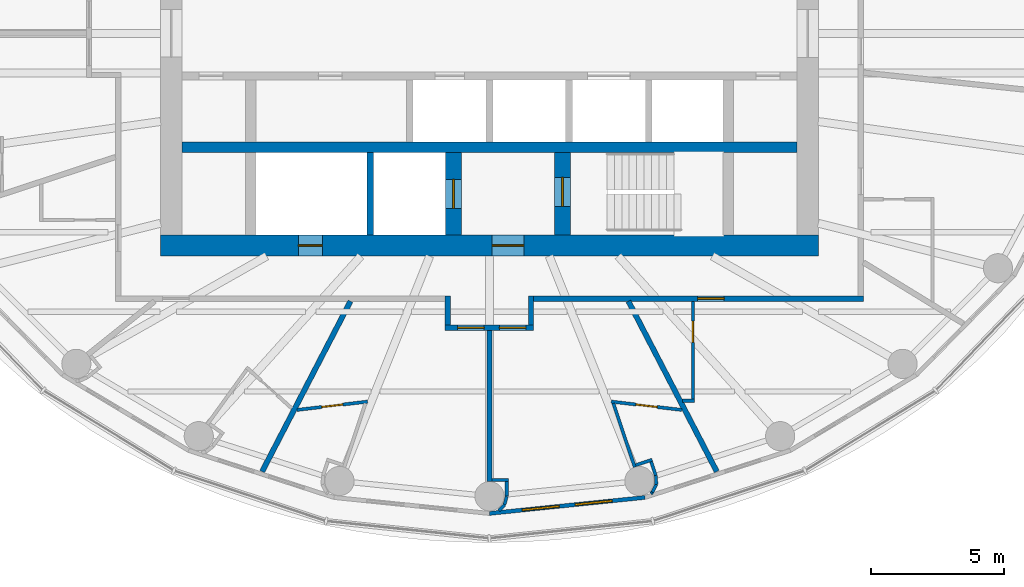
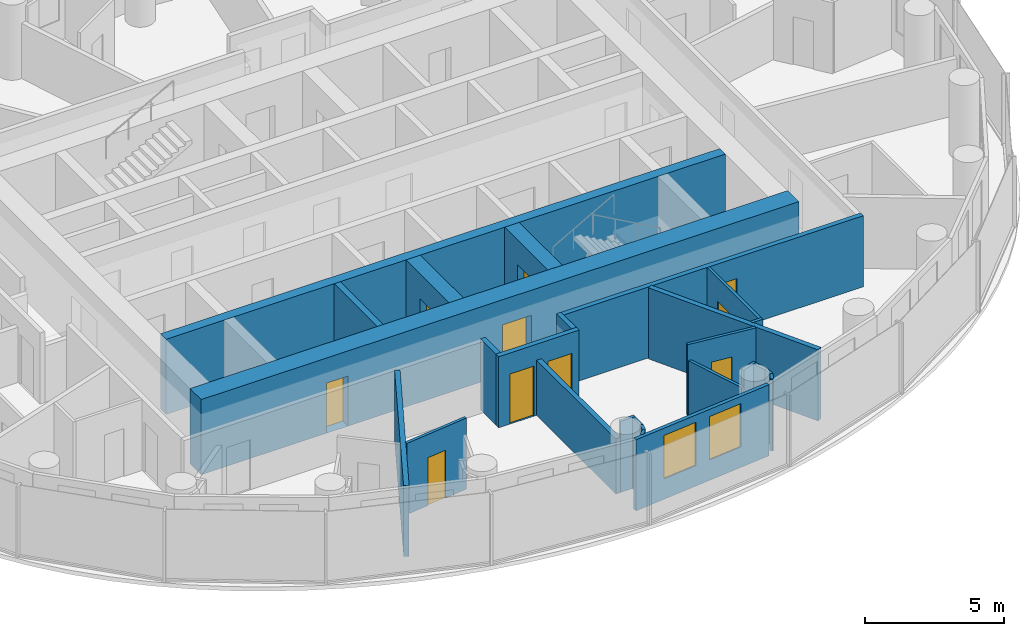
# One storey, part 7 of 13: 27 walls, 10 doors, 2 windows, 12 openings.
"""IFC4 building model written with IfcOpenShell, lengths in metres."""

from ifc_helpers import new_model, si_unit, direction, frame, frame_2d, origin, place, context, subcontext, project, spatial, rectangle, extrude, material, layer, layer_set, type_object, element, fill, save


model = new_model("IFC4")

# Units and contexts
model_context = context("Model", 3, precision=1e-05, world=origin(), true_north=direction((0.0, 1.0)))
body_context = subcontext(model_context, "Body", "Model", "MODEL_VIEW")
ifc_project = project(units=[si_unit("LENGTHUNIT", "METRE"), si_unit("AREAUNIT", "SQUARE_METRE"), si_unit("VOLUMEUNIT", "CUBIC_METRE"), si_unit("PLANEANGLEUNIT", "RADIAN"), si_unit("MASSUNIT", "GRAM", prefix="KILO")], contexts=[model_context])

# Site, building, storey
site_placement = place(None, origin())
site = spatial("IfcSite", under=ifc_project, at=site_placement, CompositionType="ELEMENT")
building_placement = place(site_placement, origin())
building = spatial("IfcBuilding", under=site, at=building_placement, Name="Hankou Lantern Tower", CompositionType="ELEMENT")
storey_placement = place(building_placement, frame((0.0, 0.0, 159.89990234375)))
storey = spatial("IfcBuildingStorey", under=building, at=storey_placement, Name="L42", CompositionType="ELEMENT", Elevation=159.89990234375)

# Wall, openings, doors
ifc_material_1 = material(Name="Concrete C60", Category="concrete")
ifc_layer_1 = layer(ifc_material_1, 0.800048828125)
ifc_layer_set_1 = layer_set([ifc_layer_1], Name="Concrete C60")
wall_type_1 = type_object("IfcWallType", Name="CW2 CORE WALL 800", PredefinedType="SHEAR", material=ifc_layer_set_1)
wall_1_placement = place(storey_placement, frame((12.39990234375, -8.0, 0.0), z_axis=(0.0, 0.0, 1.0), x_axis=(-1.0, 0.0, 0.0)))
wall_1 = element("IfcWall", 1, at=wall_1_placement, inside=storey, type_object=wall_type_1, Name="Core wall south L42", PredefinedType="SHEAR", context=body_context, shape_type="SweptSolid", body=[
    extrude(rectangle(XDim=24.7998046875, YDim=0.800048828125, at=frame_2d((12.39990234375, 0.0))), origin(), (0.0, 0.0, 1.0), 3.300048828125),
])
opening_1_placement = place(wall_1_placement, frame((11.10009765625, 0.0, 0.0)))
opening_1 = element("IfcOpeningElement", 2, at=opening_1_placement, cuts=wall_1, Name="Opening D5", PredefinedType="OPENING", context=body_context, shape_type="SweptSolid", body=[
    extrude(rectangle(XDim=1.199951171875, YDim=2.199951171875, at=frame_2d((0.60009765625, 1.10009765625))), frame((0.0, 0.409912109375, 0.0), z_axis=(0.0, -1.0, 0.0), x_axis=(1.0, 0.0, 0.0)), (0.0, 0.0, 1.0), 0.820068359375),
])
opening_2_placement = place(wall_1_placement, frame((18.699951171875, 0.0, 0.0)))
opening_2 = element("IfcOpeningElement", 3, at=opening_2_placement, cuts=wall_1, Name="Opening D7", PredefinedType="OPENING", context=body_context, shape_type="SweptSolid", body=[
    extrude(rectangle(XDim=0.89990234375, YDim=2.199951171875, at=frame_2d((0.449951171875, 1.10009765625))), frame((0.0, 0.409912109375, 0.0), z_axis=(0.0, -1.0, 0.0), x_axis=(1.0, 0.0, 0.0)), (0.0, 0.0, 1.0), 0.820068359375),
])
ifc_material_2 = material(Name="Steel door leaf", Category="steel")
door_type_1 = type_object("IfcDoorType", Name="D5 STAIR LOBBY DOOR 1200X2200", OperationType="SINGLE_SWING_LEFT", PredefinedType="DOOR", material=ifc_material_2)
door_1_placement = place(opening_1_placement, origin())
door_1 = element("IfcDoor", 4, at=door_1_placement, inside=storey, type_object=door_type_1, Name="Stair B lobby door", OperationType="SINGLE_SWING_LEFT", OverallHeight=2.199951171875, OverallWidth=1.199951171875, PredefinedType="DOOR", context=body_context, shape_type="SweptSolid", body=[
    extrude(rectangle(XDim=1.199951171875, YDim=2.199951171875, at=frame_2d((0.60009765625, 1.10009765625))), frame((0.0, 0.02490234375, 0.0), z_axis=(0.0, -1.0, 0.0), x_axis=(1.0, 0.0, 0.0)), (0.0, 0.0, 1.0), 0.050048828125),
])
fill(opening_1, door_1)
ifc_material_3 = material(Name="Steel door leaf", Category="steel")
door_type_2 = type_object("IfcDoorType", Name="D7 RISER DOOR 900X2200", OperationType="SINGLE_SWING_LEFT", PredefinedType="DOOR", material=ifc_material_3)
door_2_placement = place(opening_2_placement, origin())
door_2 = element("IfcDoor", 5, at=door_2_placement, inside=storey, type_object=door_type_2, Name="Riser S1 door", OperationType="SINGLE_SWING_RIGHT", OverallHeight=2.199951171875, OverallWidth=0.89990234375, PredefinedType="DOOR", context=body_context, shape_type="SweptSolid", body=[
    extrude(rectangle(XDim=0.89990234375, YDim=2.199951171875, at=frame_2d((0.449951171875, 1.10009765625))), frame((0.0, 0.02490234375, 0.0), z_axis=(0.0, -1.0, 0.0), x_axis=(1.0, 0.0, 0.0)), (0.0, 0.0, 1.0), 0.050048828125),
])
fill(opening_2, door_2)

# Wall
ifc_material_4 = material(Name="Concrete C60", Category="concrete")
ifc_layer_2 = layer(ifc_material_4, 0.39990234375)
ifc_layer_set_2 = layer_set([ifc_layer_2], Name="Concrete C60")
wall_type_2 = type_object("IfcWallType", Name="CW4 CORE CROSS WALL 400", PredefinedType="SHEAR", material=ifc_layer_set_2)
wall_2_placement = place(storey_placement, frame((-11.60009765625, -4.300048828125, 0.0), z_axis=(0.0, 0.0, 1.0), x_axis=(1.0, 0.0, 0.0)))
element("IfcWall", 6, at=wall_2_placement, inside=storey, type_object=wall_type_2, Name="Core band wall south L42", PredefinedType="SHEAR", context=body_context, shape_type="SweptSolid", body=[
    extrude(rectangle(XDim=23.2001953125, YDim=0.39990234375, at=frame_2d((11.60009765625, 0.0))), origin(), (0.0, 0.0, 1.0), 3.300048828125),
])

# Wall, opening, door
ifc_material_5 = material(Name="Concrete C60", Category="concrete")
ifc_layer_3 = layer(ifc_material_5, 0.60009765625)
ifc_layer_set_3 = layer_set([ifc_layer_3], Name="Concrete C60")
wall_type_3 = type_object("IfcWallType", Name="CW6 STAIR AND SHAFT WALL 600", PredefinedType="SHEAR", material=ifc_layer_set_3)
wall_3_placement = place(storey_placement, frame((2.75, -7.60009765625, 0.0), z_axis=(0.0, 0.0, 1.0), x_axis=(0.0, 1.0, 0.0)))
wall_3 = element("IfcWall", 7, at=wall_3_placement, inside=storey, type_object=wall_type_3, Name="Stair wall L42", PredefinedType="SHEAR", context=body_context, shape_type="SweptSolid", body=[
    extrude(rectangle(XDim=3.10009765625, YDim=0.60009765625, at=frame_2d((1.550048828125, 0.0))), origin(), (0.0, 0.0, 1.0), 3.300048828125),
])
opening_3_placement = place(wall_3_placement, frame((1.074951171875, 0.0, 0.0)))
opening_3 = element("IfcOpeningElement", 8, at=opening_3_placement, cuts=wall_3, Name="Opening D4", PredefinedType="OPENING", context=body_context, shape_type="SweptSolid", body=[
    extrude(rectangle(XDim=1.10009765625, YDim=2.199951171875, at=frame_2d((0.550048828125, 1.10009765625))), frame((0.0, 0.31005859375, 0.0), z_axis=(0.0, -1.0, 0.0), x_axis=(1.0, 0.0, 0.0)), (0.0, 0.0, 1.0), 0.6201171875),
])
ifc_material_6 = material(Name="Steel door leaf", Category="steel")
door_type_3 = type_object("IfcDoorType", Name="D4 STAIR DOOR 1100X2200", OperationType="SINGLE_SWING_LEFT", PredefinedType="DOOR", material=ifc_material_6)
door_3_placement = place(opening_3_placement, origin())
door_3 = element("IfcDoor", 9, at=door_3_placement, inside=storey, type_object=door_type_3, Name="Stair B door", OperationType="SINGLE_SWING_RIGHT", OverallHeight=2.199951171875, OverallWidth=1.10009765625, PredefinedType="DOOR", context=body_context, shape_type="SweptSolid", body=[
    extrude(rectangle(XDim=1.10009765625, YDim=2.199951171875, at=frame_2d((0.550048828125, 1.10009765625))), frame((0.0, 0.02490234375, 0.0), z_axis=(0.0, -1.0, 0.0), x_axis=(1.0, 0.0, 0.0)), (0.0, 0.0, 1.0), 0.050048828125),
])
fill(opening_3, door_3)

wall_4_placement = place(storey_placement, frame((-1.35009765625, -7.60009765625, 0.0), z_axis=(0.0, 0.0, 1.0), x_axis=(0.0, 1.0, 0.0)))
wall_4 = element("IfcWall", 10, at=wall_4_placement, inside=storey, type_object=wall_type_3, Name="Firefighting lift shaft wall L42", PredefinedType="SHEAR", context=body_context, shape_type="SweptSolid", body=[
    extrude(rectangle(XDim=3.10009765625, YDim=0.60009765625, at=frame_2d((1.550048828125, 0.0))), origin(), (0.0, 0.0, 1.0), 3.300048828125),
])
opening_4_placement = place(wall_4_placement, frame((1.0, 0.0, 0.0)))
opening_4 = element("IfcOpeningElement", 11, at=opening_4_placement, cuts=wall_4, Name="Opening LD2", PredefinedType="OPENING", context=body_context, shape_type="SweptSolid", body=[
    extrude(rectangle(XDim=1.10009765625, YDim=2.199951171875, at=frame_2d((0.550048828125, 1.10009765625))), frame((0.0, 0.31005859375, 0.0), z_axis=(0.0, -1.0, 0.0), x_axis=(1.0, 0.0, 0.0)), (0.0, 0.0, 1.0), 0.6201171875),
])
ifc_material_7 = material(Name="Steel door leaf", Category="steel")
door_type_4 = type_object("IfcDoorType", Name="LD2 FIREFIGHTING LIFT LANDING DOOR 1100X2200", OperationType="DOUBLE_DOOR_SLIDING", PredefinedType="DOOR", material=ifc_material_7)
door_4_placement = place(opening_4_placement, origin())
door_4 = element("IfcDoor", 12, at=door_4_placement, inside=storey, type_object=door_type_4, Name="Firefighting lift FL2 landing door", OperationType="DOUBLE_DOOR_SLIDING", OverallHeight=2.199951171875, OverallWidth=1.10009765625, PredefinedType="DOOR", context=body_context, shape_type="SweptSolid", body=[
    extrude(rectangle(XDim=1.10009765625, YDim=2.199951171875, at=frame_2d((0.550048828125, 1.10009765625))), frame((0.0, 0.02490234375, 0.0), z_axis=(0.0, -1.0, 0.0), x_axis=(1.0, 0.0, 0.0)), (0.0, 0.0, 1.0), 0.050048828125),
])
fill(opening_4, door_4)

# Wall, openings, windows
ifc_material_8 = material(Name="Aluminium spandrel panel on steel studs", Category="steel")
ifc_layer_4 = layer(ifc_material_8, 0.14990234375)
ifc_layer_set_4 = layer_set([ifc_layer_4], Name="Aluminium spandrel panel on steel studs")
wall_type_4 = type_object("IfcWallType", Name="EW1 INNER SKIN WALL 150", PredefinedType="ELEMENTEDWALL", material=ifc_layer_set_4)
wall_5_placement = place(storey_placement, frame((0.0, -18.10009765625, 0.0), z_axis=(0.0, 0.0, 1.0), x_axis=(0.994751738032, 0.102318032045, 0.0)))
wall_5 = element("IfcWall", 13, at=wall_5_placement, inside=storey, type_object=wall_type_4, Name="Inner skin R19-R20 L42", PredefinedType="ELEMENTEDWALL", context=body_context, shape_type="SweptSolid", body=[
    extrude(rectangle(XDim=5.891357421875, YDim=0.14990234375, at=frame_2d((2.94580078125, 0.0))), origin(), (0.0, 0.0, 1.0), 3.1201171875),
])
opening_5_placement = place(wall_5_placement, frame((1.24560546875, 0.0, 0.89990234375)))
opening_5 = element("IfcOpeningElement", 14, at=opening_5_placement, cuts=wall_5, Name="Opening W3", PredefinedType="OPENING", context=body_context, shape_type="SweptSolid", body=[
    extrude(rectangle(XDim=1.39990234375, YDim=1.89990234375, at=frame_2d((0.699951171875, 0.949951171875))), frame((0.0, 0.0849609375, 0.0), z_axis=(0.0, -1.0, 0.0), x_axis=(1.0, 0.0, 0.0)), (0.0, 0.0, 1.0), 0.169921875),
])
opening_6_placement = place(wall_5_placement, frame((3.24560546875, 0.0, 0.89990234375)))
opening_6 = element("IfcOpeningElement", 15, at=opening_6_placement, cuts=wall_5, Name="Opening W3", PredefinedType="OPENING", context=body_context, shape_type="SweptSolid", body=[
    extrude(rectangle(XDim=1.39990234375, YDim=1.89990234375, at=frame_2d((0.699951171875, 0.949951171875))), frame((0.0, 0.0849609375, 0.0), z_axis=(0.0, -1.0, 0.0), x_axis=(1.0, 0.0, 0.0)), (0.0, 0.0, 1.0), 0.169921875),
])
ifc_material_9 = material(Name="Aluminium framed double glazed window", Category="aluminium")
window_type = type_object("IfcWindowType", Name="W3 GUEST ROOM WINDOW 1400X1900", PartitioningType="DOUBLE_PANEL_VERTICAL", PredefinedType="WINDOW", material=ifc_material_9)
window_1_placement = place(opening_5_placement, origin())
window_1 = element("IfcWindow", 16, at=window_1_placement, inside=storey, type_object=window_type, Name="Window R19.1 L42", OverallHeight=1.89990234375, OverallWidth=1.39990234375, PartitioningType="SINGLE_PANEL", PredefinedType="WINDOW", context=body_context, shape_type="SweptSolid", body=[
    extrude(rectangle(XDim=1.39990234375, YDim=1.89990234375, at=frame_2d((0.699951171875, 0.949951171875))), frame((0.0, 0.030029296875, 0.0), z_axis=(0.0, -1.0, 0.0), x_axis=(1.0, 0.0, 0.0)), (0.0, 0.0, 1.0), 0.06005859375),
])
fill(opening_5, window_1)
window_2_placement = place(opening_6_placement, origin())
window_2 = element("IfcWindow", 17, at=window_2_placement, inside=storey, type_object=window_type, Name="Window R19.2 L42", OverallHeight=1.89990234375, OverallWidth=1.39990234375, PartitioningType="SINGLE_PANEL", PredefinedType="WINDOW", context=body_context, shape_type="SweptSolid", body=[
    extrude(rectangle(XDim=1.39990234375, YDim=1.89990234375, at=frame_2d((0.699951171875, 0.949951171875))), frame((0.0, 0.030029296875, 0.0), z_axis=(0.0, -1.0, 0.0), x_axis=(1.0, 0.0, 0.0)), (0.0, 0.0, 1.0), 0.06005859375),
])
fill(opening_6, window_2)

# Walls
ifc_material_10 = material(Name="Masonry lightweight concrete block", Category="masonry")
ifc_layer_5 = layer(ifc_material_10, 0.199951171875)
ifc_layer_set_5 = layer_set([ifc_layer_5], Name="Masonry lightweight concrete block")
wall_type_5 = type_object("IfcWallType", Name="IW1 GUEST ROOM PARTY WALL 200", PredefinedType="PARTITIONING", material=ifc_layer_set_5)
wall_6_placement = place(storey_placement, frame((-5.239990234375, -10.10009765625, 0.0), z_axis=(0.0, 0.0, 1.0), x_axis=(-0.460532965373, -0.887642601391, 0.0)))
element("IfcWall", 18, at=wall_6_placement, inside=storey, type_object=wall_type_5, Name="Party wall R17-R18", PredefinedType="PARTITIONING", context=body_context, shape_type="SweptSolid", body=[
    extrude(rectangle(XDim=7.2314453125, YDim=0.199951171875, at=frame_2d((3.61572265625, 0.0))), origin(), (0.0, 0.0, 1.0), 3.1201171875),
])
wall_7_placement = place(storey_placement, frame((0.0, -11.199951171875, 0.0), z_axis=(0.0, 0.0, 1.0), x_axis=(0.0, -1.0, 0.0)))
element("IfcWall", 19, at=wall_7_placement, inside=storey, type_object=wall_type_5, Name="Party wall R19", PredefinedType="PARTITIONING", context=body_context, shape_type="SweptSolid", body=[
    extrude(rectangle(XDim=5.699951171875, YDim=0.199951171875, at=frame_2d((2.85009765625, 0.0))), origin(), (0.0, 0.0, 1.0), 2.420166015625),
])
wall_8_placement = place(storey_placement, frame((5.239990234375, -10.10009765625, 0.0), z_axis=(0.0, 0.0, 1.0), x_axis=(0.460532965373, -0.887642601391, 0.0)))
element("IfcWall", 20, at=wall_8_placement, inside=storey, type_object=wall_type_5, Name="Party wall R20-R21", PredefinedType="PARTITIONING", context=body_context, shape_type="SweptSolid", body=[
    extrude(rectangle(XDim=7.2314453125, YDim=0.199951171875, at=frame_2d((3.61572265625, 0.0))), origin(), (0.0, 0.0, 1.0), 3.1201171875),
])

# Wall, openings, doors
ifc_material_11 = material(Name="Masonry lightweight concrete block", Category="masonry")
ifc_layer_6 = layer(ifc_material_11, 0.199951171875)
ifc_layer_set_6 = layer_set([ifc_layer_6], Name="Masonry lightweight concrete block")
wall_type_6 = type_object("IfcWallType", Name="IW2 CORRIDOR WALL 200", PredefinedType="PARTITIONING", material=ifc_layer_set_6)
wall_9_placement = place(storey_placement, frame((1.669921875, -11.10009765625, 0.0), z_axis=(0.0, 0.0, 1.0), x_axis=(-1.0, 0.0, 0.0)))
wall_9 = element("IfcWall", 21, at=wall_9_placement, inside=storey, type_object=wall_type_6, Name="Corridor alcove wall 4207-4208 back", PredefinedType="PARTITIONING", context=body_context, shape_type="SweptSolid", body=[
    extrude(rectangle(XDim=3.33984375, YDim=0.199951171875, at=frame_2d((1.669921875, 0.0))), origin(), (0.0, 0.0, 1.0), 3.1201171875),
])
opening_7_placement = place(wall_9_placement, frame((1.8701171875, 0.0, 0.0)))
opening_7 = element("IfcOpeningElement", 22, at=opening_7_placement, cuts=wall_9, Name="Opening D1", PredefinedType="OPENING", context=body_context, shape_type="SweptSolid", body=[
    extrude(rectangle(XDim=1.0, YDim=2.199951171875, at=frame_2d((0.5, 1.10009765625))), frame((0.0, 0.10986328125, 0.0), z_axis=(0.0, -1.0, 0.0), x_axis=(1.0, 0.0, 0.0)), (0.0, 0.0, 1.0), 0.219970703125),
])
opening_8_placement = place(wall_9_placement, frame((0.300048828125, 0.0, 0.0)))
opening_8 = element("IfcOpeningElement", 23, at=opening_8_placement, cuts=wall_9, Name="Opening D1", PredefinedType="OPENING", context=body_context, shape_type="SweptSolid", body=[
    extrude(rectangle(XDim=1.0, YDim=2.199951171875, at=frame_2d((0.5, 1.10009765625))), frame((0.0, 0.10986328125, 0.0), z_axis=(0.0, -1.0, 0.0), x_axis=(1.0, 0.0, 0.0)), (0.0, 0.0, 1.0), 0.219970703125),
])
ifc_material_12 = material(Name="Steel door leaf", Category="steel")
door_type_5 = type_object("IfcDoorType", Name="D1 GUEST ROOM DOOR 1000X2200", OperationType="SINGLE_SWING_LEFT", PredefinedType="DOOR", material=ifc_material_12)
door_5_placement = place(opening_7_placement, origin())
door_5 = element("IfcDoor", 24, at=door_5_placement, inside=storey, type_object=door_type_5, Name="Guest room door 4207", OperationType="SINGLE_SWING_LEFT", OverallHeight=2.199951171875, OverallWidth=1.0, PredefinedType="DOOR", context=body_context, shape_type="SweptSolid", body=[
    extrude(rectangle(XDim=1.0, YDim=2.199951171875, at=frame_2d((0.5, 1.10009765625))), frame((0.0, 0.02490234375, 0.0), z_axis=(0.0, -1.0, 0.0), x_axis=(1.0, 0.0, 0.0)), (0.0, 0.0, 1.0), 0.050048828125),
])
fill(opening_7, door_5)
door_6_placement = place(opening_8_placement, origin())
door_6 = element("IfcDoor", 25, at=door_6_placement, inside=storey, type_object=door_type_5, Name="Guest room door 4208", OperationType="SINGLE_SWING_RIGHT", OverallHeight=2.199951171875, OverallWidth=1.0, PredefinedType="DOOR", context=body_context, shape_type="SweptSolid", body=[
    extrude(rectangle(XDim=1.0, YDim=2.199951171875, at=frame_2d((0.5, 1.10009765625))), frame((0.0, 0.02490234375, 0.0), z_axis=(0.0, -1.0, 0.0), x_axis=(1.0, 0.0, 0.0)), (0.0, 0.0, 1.0), 0.050048828125),
])
fill(opening_8, door_6)

# Walls
for number, where, z_axis, x_axis, name in (
    (26, (1.570068359375, -9.89990234375, 0.0), (0.0, 0.0, 1.0), (0.0, -1.0, 0.0), "Corridor alcove wall 4207-4208 left"),
    (27, (-1.570068359375, -9.89990234375, 0.0), (0.0, 0.0, 1.0), (0.0, -1.0, 0.0), "Corridor alcove wall 4207-4208 right"),
):
    element("IfcWall", number, at=place(storey_placement, frame(where, z_axis=z_axis, x_axis=x_axis)), inside=storey, type_object=wall_type_6, Name=name, PredefinedType="PARTITIONING", context=body_context, shape_type="SweptSolid", body=[
        extrude(rectangle(XDim=1.10009765625, YDim=0.199951171875, at=frame_2d((0.550048828125, 0.0))), origin(), (0.0, 0.0, 1.0), 3.1201171875),
    ])

# Wall, opening, door
wall_10_placement = place(storey_placement, frame((14.10009765625, -10.0, 0.0), z_axis=(0.0, 0.0, 1.0), x_axis=(-1.0, 0.0, 0.0)))
wall_10 = element("IfcWall", 28, at=wall_10_placement, inside=storey, type_object=wall_type_6, Name="Corridor wall south", PredefinedType="PARTITIONING", context=body_context, shape_type="SweptSolid", body=[
    extrude(rectangle(XDim=12.43017578125, YDim=0.199951171875, at=frame_2d((6.215087890625, 0.0))), origin(), (0.0, 0.0, 1.0), 3.1201171875),
])
opening_9_placement = place(wall_10_placement, frame((5.25, 0.0, 0.0)))
opening_9 = element("IfcOpeningElement", 29, at=opening_9_placement, cuts=wall_10, Name="Opening D2", PredefinedType="OPENING", context=body_context, shape_type="SweptSolid", body=[
    extrude(rectangle(XDim=1.0, YDim=2.199951171875, at=frame_2d((0.5, 1.10009765625))), frame((0.0, 0.10986328125, 0.0), z_axis=(0.0, -1.0, 0.0), x_axis=(1.0, 0.0, 0.0)), (0.0, 0.0, 1.0), 0.219970703125),
])
ifc_material_13 = material(Name="Steel door leaf", Category="steel")
door_type_6 = type_object("IfcDoorType", Name="D2 SUITE DOOR 1000X2200", OperationType="SINGLE_SWING_LEFT", PredefinedType="DOOR", material=ifc_material_13)
door_7_placement = place(opening_9_placement, origin())
door_7 = element("IfcDoor", 30, at=door_7_placement, inside=storey, type_object=door_type_6, Name="Suite door 4209", OperationType="SINGLE_SWING_RIGHT", OverallHeight=2.199951171875, OverallWidth=1.0, PredefinedType="DOOR", context=body_context, shape_type="SweptSolid", body=[
    extrude(rectangle(XDim=1.0, YDim=2.199951171875, at=frame_2d((0.5, 1.10009765625))), frame((0.0, 0.02490234375, 0.0), z_axis=(0.0, -1.0, 0.0), x_axis=(1.0, 0.0, 0.0)), (0.0, 0.0, 1.0), 0.050048828125),
])
fill(opening_9, door_7)

ifc_material_14 = material(Name="Masonry lightweight concrete block", Category="masonry")
ifc_layer_7 = layer(ifc_material_14, 0.1201171875)
ifc_layer_set_7 = layer_set([ifc_layer_7], Name="Masonry lightweight concrete block")
wall_type_7 = type_object("IfcWallType", Name="IW3 BATHROOM WALL 120", PredefinedType="PARTITIONING", material=ifc_layer_set_7)
wall_11_placement = place(storey_placement, frame((-7.2529296875, -14.197021484375, 0.0), z_axis=(0.0, 0.0, 1.0), x_axis=(0.993128188393, 0.117031625725, 0.0)))
wall_11 = element("IfcWall", 31, at=wall_11_placement, inside=storey, type_object=wall_type_7, Name="Box wall 4207 1", PredefinedType="PARTITIONING", context=body_context, shape_type="SweptSolid", body=[
    extrude(rectangle(XDim=2.678466796875, YDim=0.1201171875, at=frame_2d((1.33935546875, 0.0))), origin(), (0.0, 0.0, 1.0), 3.1201171875),
])
opening_10_placement = place(wall_11_placement, frame((0.939208984375, 0.0, 0.0)))
opening_10 = element("IfcOpeningElement", 32, at=opening_10_placement, cuts=wall_11, Name="Opening D3", PredefinedType="OPENING", context=body_context, shape_type="SweptSolid", body=[
    extrude(rectangle(XDim=0.800048828125, YDim=2.10009765625, at=frame_2d((0.39990234375, 1.050048828125))), frame((0.0, 0.070068359375, 0.0), z_axis=(0.0, -1.0, 0.0), x_axis=(1.0, 0.0, 0.0)), (0.0, 0.0, 1.0), 0.14013671875),
])
ifc_material_15 = material(Name="Timber door leaf", Category="wood")
door_type_7 = type_object("IfcDoorType", Name="D3 BATHROOM DOOR 800X2100", OperationType="SINGLE_SWING_LEFT", PredefinedType="DOOR", material=ifc_material_15)
door_8_placement = place(opening_10_placement, origin())
door_8 = element("IfcDoor", 33, at=door_8_placement, inside=storey, type_object=door_type_7, Name="En-suite bathroom 4207 door", OperationType="SINGLE_SWING_LEFT", OverallHeight=2.10009765625, OverallWidth=0.800048828125, PredefinedType="DOOR", context=body_context, shape_type="SweptSolid", body=[
    extrude(rectangle(XDim=0.800048828125, YDim=2.10009765625, at=frame_2d((0.39990234375, 1.050048828125))), frame((0.0, 0.02490234375, 0.0), z_axis=(0.0, -1.0, 0.0), x_axis=(1.0, 0.0, 0.0)), (0.0, 0.0, 1.0), 0.050048828125),
])
fill(opening_10, door_8)

wall_12_placement = place(storey_placement, frame((7.2529296875, -14.197021484375, 0.0), z_axis=(0.0, 0.0, 1.0), x_axis=(-0.993128188393, 0.117031625725, 0.0)))
wall_12 = element("IfcWall", 34, at=wall_12_placement, inside=storey, type_object=wall_type_7, Name="Box wall 4208 1", PredefinedType="PARTITIONING", context=body_context, shape_type="SweptSolid", body=[
    extrude(rectangle(XDim=2.678466796875, YDim=0.1201171875, at=frame_2d((1.33935546875, 0.0))), origin(), (0.0, 0.0, 1.0), 3.1201171875),
])
opening_11_placement = place(wall_12_placement, frame((0.939208984375, 0.0, 0.0)))
opening_11 = element("IfcOpeningElement", 35, at=opening_11_placement, cuts=wall_12, Name="Opening D3", PredefinedType="OPENING", context=body_context, shape_type="SweptSolid", body=[
    extrude(rectangle(XDim=0.800048828125, YDim=2.10009765625, at=frame_2d((0.39990234375, 1.050048828125))), frame((0.0, 0.070068359375, 0.0), z_axis=(0.0, -1.0, 0.0), x_axis=(1.0, 0.0, 0.0)), (0.0, 0.0, 1.0), 0.14013671875),
])
door_9_placement = place(opening_11_placement, origin())
door_9 = element("IfcDoor", 36, at=door_9_placement, inside=storey, type_object=door_type_7, Name="En-suite bathroom 4208 door", OperationType="SINGLE_SWING_RIGHT", OverallHeight=2.10009765625, OverallWidth=0.800048828125, PredefinedType="DOOR", context=body_context, shape_type="SweptSolid", body=[
    extrude(rectangle(XDim=0.800048828125, YDim=2.10009765625, at=frame_2d((0.39990234375, 1.050048828125))), frame((0.0, 0.02490234375, 0.0), z_axis=(0.0, -1.0, 0.0), x_axis=(1.0, 0.0, 0.0)), (0.0, 0.0, 1.0), 0.050048828125),
])
fill(opening_11, door_9)

# Walls
wall_13_placement = place(storey_placement, frame((4.67138671875, -13.947509765625, 0.0), z_axis=(0.0, 0.0, 1.0), x_axis=(0.317669167093, -0.948201613729, 0.0)))
element("IfcWall", 37, at=wall_13_placement, inside=storey, type_object=wall_type_7, Name="Box wall 4208 2", PredefinedType="PARTITIONING", context=body_context, shape_type="SweptSolid", body=[
    extrude(rectangle(XDim=2.5400390625, YDim=0.1201171875, at=frame_2d((1.27001953125, 0.0))), origin(), (0.0, 0.0, 1.0), 2.420166015625),
])
wall_14_placement = place(storey_placement, frame((5.51611328125, -16.280029296875, 0.0), z_axis=(0.0, 0.0, 1.0), x_axis=(0.948157944392, 0.317799484717, 0.0)))
element("IfcWall", 38, at=wall_14_placement, inside=storey, type_object=wall_type_7, Name="Column casing 4208 return", PredefinedType="PARTITIONING", context=body_context, shape_type="SweptSolid", body=[
    extrude(rectangle(XDim=0.652099609375, YDim=0.1201171875, at=frame_2d((0.326171875, 0.0))), origin(), (0.0, 0.0, 1.0), 3.1201171875),
])
wall_15_placement = place(storey_placement, frame((6.0966796875, -16.148681640625, 0.0), z_axis=(0.0, 0.0, 1.0), x_axis=(0.317292604854, -0.948327687514, 0.0)))
element("IfcWall", 39, at=wall_15_placement, inside=storey, type_object=wall_type_7, Name="Column casing 4208", PredefinedType="PARTITIONING", context=body_context, shape_type="SweptSolid", body=[
    extrude(rectangle(XDim=0.550048828125, YDim=0.1201171875, at=frame_2d((0.27490234375, 0.0))), origin(), (0.0, 0.0, 1.0), 3.1201171875),
])
for number, where, z_axis, x_axis, name in (
    (40, (6.271240234375, -16.67041015625, 0.0), (0.0, 0.0, 1.0), (0.061477694849, -0.998108457552, 0.0), "Column casing 4208"),
    (41, (6.2919921875, -17.00732421875, 0.0), (0.0, 0.0, 1.0), (-0.445477128334, -0.895293319606, 0.0), "Column casing 4208"),
):
    element("IfcWall", number, at=place(storey_placement, frame(where, z_axis=z_axis, x_axis=x_axis)), inside=storey, type_object=wall_type_7, Name=name, PredefinedType="PARTITIONING", context=body_context, shape_type="SweptSolid", body=[
        extrude(rectangle(XDim=0.337646484375, YDim=0.1201171875, at=frame_2d((0.1689453125, 0.0))), origin(), (0.0, 0.0, 1.0), 3.1201171875),
    ])
wall_16_placement = place(storey_placement, frame((6.1416015625, -17.3095703125, 0.0), z_axis=(0.0, 0.0, 1.0), x_axis=(-0.835039693181, -0.550189704386, 0.0)))
element("IfcWall", 42, at=wall_16_placement, inside=storey, type_object=wall_type_7, Name="Column casing 4208", PredefinedType="PARTITIONING", context=body_context, shape_type="SweptSolid", body=[
    extrude(rectangle(XDim=0.0625, YDim=0.1201171875, at=frame_2d((0.03125, 0.0))), origin(), (0.0, 0.0, 1.0), 3.1201171875),
])
wall_17_placement = place(storey_placement, frame((7.28564453125, -13.85009765625, 0.0), z_axis=(0.0, 0.0, 1.0), x_axis=(1.0, 0.0, 0.0)))
element("IfcWall", 43, at=wall_17_placement, inside=storey, type_object=wall_type_7, Name="Box wall 4209 1", PredefinedType="PARTITIONING", context=body_context, shape_type="SweptSolid", body=[
    extrude(rectangle(XDim=0.4443359375, YDim=0.1201171875, at=frame_2d((0.22216796875, 0.0))), origin(), (0.0, 0.0, 1.0), 3.1201171875),
])

# Wall, opening, door
wall_18_placement = place(storey_placement, frame((7.670166015625, -10.10009765625, 0.0), z_axis=(0.0, 0.0, 1.0), x_axis=(0.0, -1.0, 0.0)))
wall_18 = element("IfcWall", 44, at=wall_18_placement, inside=storey, type_object=wall_type_7, Name="Box wall 4209 1", PredefinedType="PARTITIONING", context=body_context, shape_type="SweptSolid", body=[
    extrude(rectangle(XDim=3.68994140625, YDim=0.1201171875, at=frame_2d((1.844970703125, 0.0))), origin(), (0.0, 0.0, 1.0), 3.1201171875),
])
opening_12_placement = place(wall_18_placement, frame((0.75, 0.0, 0.0)))
opening_12 = element("IfcOpeningElement", 45, at=opening_12_placement, cuts=wall_18, Name="Opening D3", PredefinedType="OPENING", context=body_context, shape_type="SweptSolid", body=[
    extrude(rectangle(XDim=0.800048828125, YDim=2.10009765625, at=frame_2d((0.39990234375, 1.050048828125))), frame((0.0, 0.070068359375, 0.0), z_axis=(0.0, -1.0, 0.0), x_axis=(1.0, 0.0, 0.0)), (0.0, 0.0, 1.0), 0.14013671875),
])
door_10_placement = place(opening_12_placement, origin())
door_10 = element("IfcDoor", 46, at=door_10_placement, inside=storey, type_object=door_type_7, Name="Junior suite 4209 bathroom door", OperationType="SINGLE_SWING_LEFT", OverallHeight=2.10009765625, OverallWidth=0.800048828125, PredefinedType="DOOR", context=body_context, shape_type="SweptSolid", body=[
    extrude(rectangle(XDim=0.800048828125, YDim=2.10009765625, at=frame_2d((0.39990234375, 1.050048828125))), frame((0.0, 0.02490234375, 0.0), z_axis=(0.0, -1.0, 0.0), x_axis=(1.0, 0.0, 0.0)), (0.0, 0.0, 1.0), 0.050048828125),
])
fill(opening_12, door_10)

# Walls
ifc_material_16 = material(Name="Masonry lightweight concrete block", Category="masonry")
ifc_layer_8 = layer(ifc_material_16, 0.1201171875)
ifc_layer_set_8 = layer_set([ifc_layer_8], Name="Masonry lightweight concrete block")
wall_type_8 = type_object("IfcWallType", Name="IW4 PARTITION 120", PredefinedType="PARTITIONING", material=ifc_layer_set_8)
wall_19_placement = place(storey_placement, frame((0.10009765625, -16.840087890625, 0.0), z_axis=(0.0, 0.0, 1.0), x_axis=(1.0, 0.0, 0.0)))
element("IfcWall", 47, at=wall_19_placement, inside=storey, type_object=wall_type_8, Name="Column casing R19 return", PredefinedType="PARTITIONING", context=body_context, shape_type="SweptSolid", body=[
    extrude(rectangle(XDim=0.612060546875, YDim=0.1201171875, at=frame_2d((0.30615234375, 0.0))), origin(), (0.0, 0.0, 1.0), 3.1201171875),
])
wall_20_placement = place(storey_placement, frame((0.65234375, -16.89990234375, 0.0), z_axis=(0.0, 0.0, 1.0), x_axis=(0.0, -1.0, 0.0)))
element("IfcWall", 48, at=wall_20_placement, inside=storey, type_object=wall_type_8, Name="Column casing R19", PredefinedType="PARTITIONING", context=body_context, shape_type="SweptSolid", body=[
    extrude(rectangle(XDim=0.550048828125, YDim=0.1201171875, at=frame_2d((0.27490234375, 0.0))), origin(), (0.0, 0.0, 1.0), 3.1201171875),
])
wall_21_placement = place(storey_placement, frame((0.65234375, -17.449951171875, 0.0), z_axis=(0.0, 0.0, 1.0), x_axis=(-0.258832454679, -0.965922233104, 0.0)))
element("IfcWall", 49, at=wall_21_placement, inside=storey, type_object=wall_type_8, Name="Column casing R19", PredefinedType="PARTITIONING", context=body_context, shape_type="SweptSolid", body=[
    extrude(rectangle(XDim=0.337646484375, YDim=0.1201171875, at=frame_2d((0.1689453125, 0.0))), origin(), (0.0, 0.0, 1.0), 3.1201171875),
])
wall_22_placement = place(storey_placement, frame((0.56494140625, -17.776123046875, 0.0), z_axis=(0.0, 0.0, 1.0), x_axis=(-0.707106781187, -0.707106781187, 0.0)))
element("IfcWall", 50, at=wall_22_placement, inside=storey, type_object=wall_type_8, Name="Column casing R19", PredefinedType="PARTITIONING", context=body_context, shape_type="SweptSolid", body=[
    extrude(rectangle(XDim=0.30078125, YDim=0.1201171875, at=frame_2d((0.150390625, 0.0))), origin(), (0.0, 0.0, 1.0), 3.1201171875),
])
ifc_material_17 = material(Name="Masonry autoclaved aerated concrete block", Category="masonry")
ifc_layer_9 = layer(ifc_material_17, 0.25)
ifc_layer_set_9 = layer_set([ifc_layer_9], Name="Masonry autoclaved aerated concrete block")
wall_type_9 = type_object("IfcWallType", Name="SW1 SHAFT BLOCK WALL 250", PredefinedType="PARTITIONING", material=ifc_layer_set_9)
wall_23_placement = place(storey_placement, frame((-4.5, -7.60009765625, 0.0), z_axis=(0.0, 0.0, 1.0), x_axis=(0.0, 1.0, 0.0)))
element("IfcWall", 51, at=wall_23_placement, inside=storey, type_object=wall_type_9, Name="Riser wall L42", PredefinedType="PARTITIONING", context=body_context, shape_type="SweptSolid", body=[
    extrude(rectangle(XDim=3.10009765625, YDim=0.25, at=frame_2d((1.550048828125, 0.0))), origin(), (0.0, 0.0, 1.0), 3.300048828125),
])

save(model, "model.ifc")
